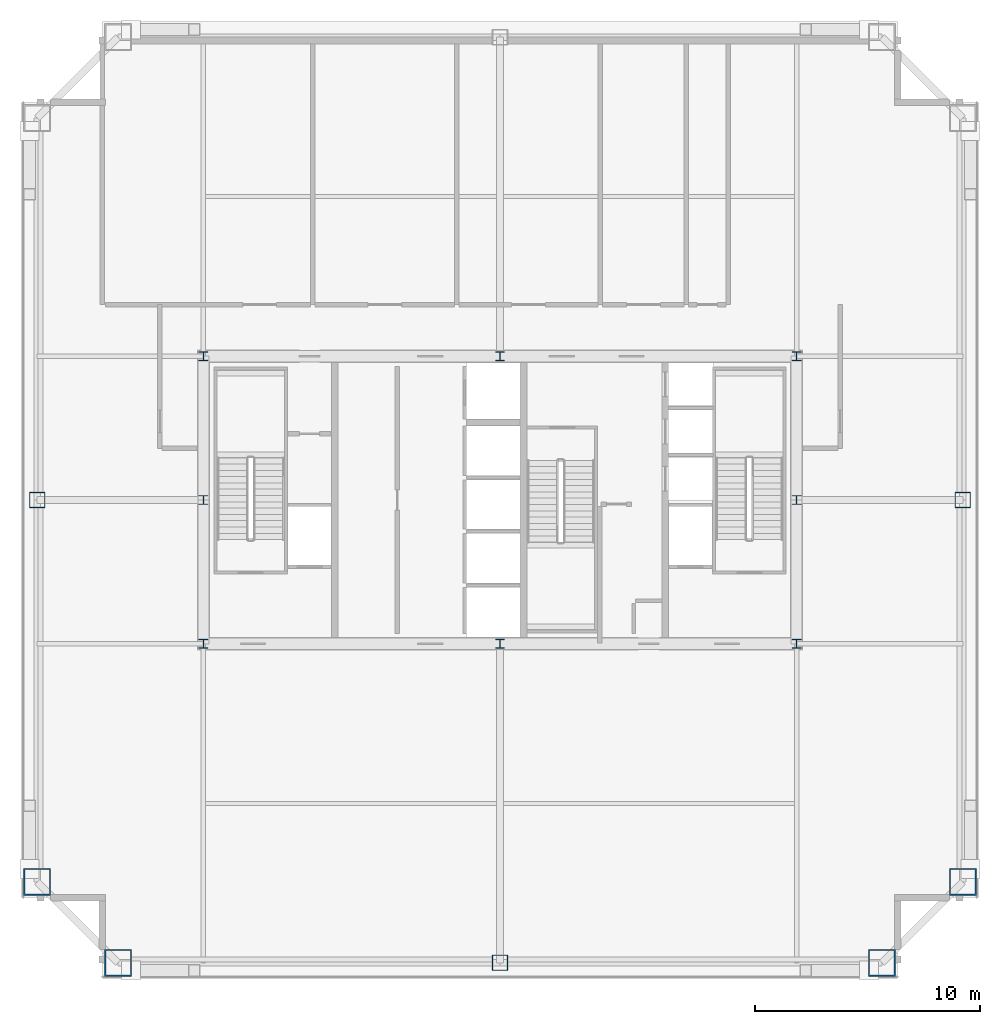
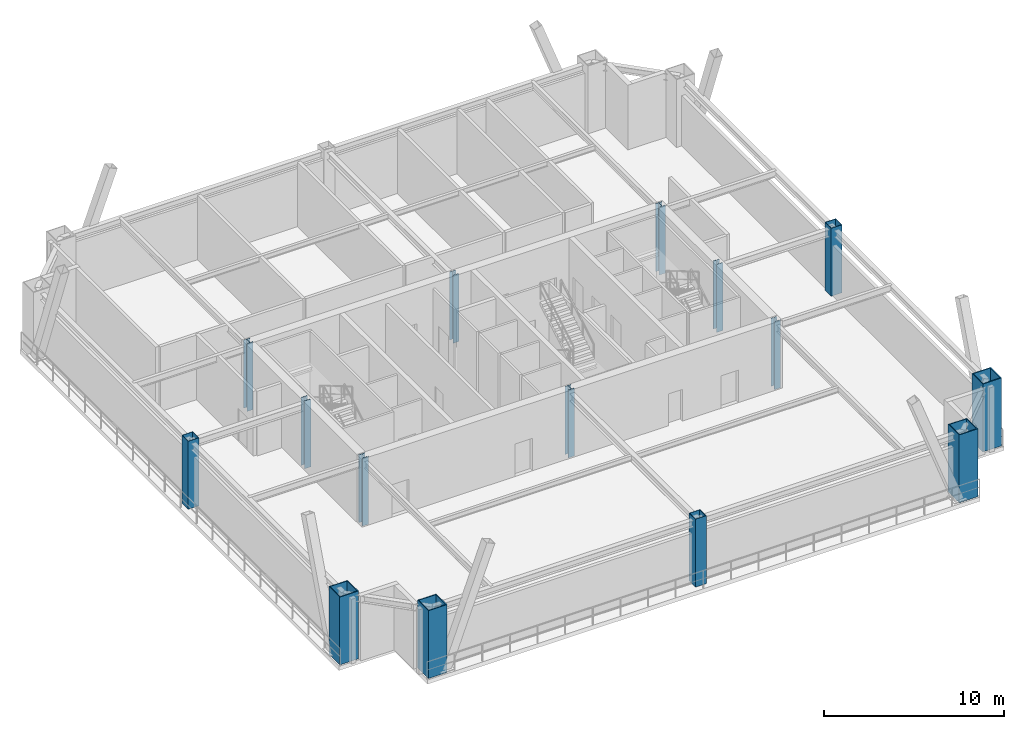
# One storey, part 1 of 8: 15 columns.
"""IFC4 building model written with IfcOpenShell, lengths in metres."""

from ifc_helpers import new_model, si_unit, direction, frame, origin, origin_2d, place, context, subcontext, project, spatial, hollow_rectangle, i_section, extrude, source, transform, mapped, material, material_profile, profile_set, type_object, element, save


model = new_model("IFC4")

# Units and contexts
model_context = context("Model", 3, precision=1e-05, world=origin(), true_north=direction((0.0, 1.0)))
body_context = subcontext(model_context, "Body", "Model", "MODEL_VIEW")
ifc_project = project(units=[si_unit("LENGTHUNIT", "METRE"), si_unit("AREAUNIT", "SQUARE_METRE"), si_unit("VOLUMEUNIT", "CUBIC_METRE"), si_unit("PLANEANGLEUNIT", "RADIAN"), si_unit("MASSUNIT", "GRAM", prefix="KILO"), si_unit("THERMODYNAMICTEMPERATUREUNIT", "KELVIN"), si_unit("POWERUNIT", "WATT")], contexts=[model_context])

# Site, building, storey
site_placement = place(None, origin())
site = spatial("IfcSite", under=ifc_project, at=site_placement, CompositionType="ELEMENT")
building_placement = place(site_placement, origin())
building = spatial("IfcBuilding", under=site, at=building_placement, Name="Yuzanri Waterfront Tower", CompositionType="ELEMENT")
storey_placement = place(building_placement, frame((0.0, 0.0, 263.5)))
storey = spatial("IfcBuildingStorey", under=building, at=storey_placement, Name="L70", CompositionType="ELEMENT", Elevation=263.5)

# Columns
ifc_material_1 = material(Name="Steel Q355B", Category="steel")
ifc_material_profile_1 = material_profile(ifc_material_1, i_section(OverallWidth=0.39990234375, OverallDepth=0.39990234375, WebThickness=0.012939453125, FlangeThickness=0.02099609375, at=origin_2d()), Name="HW 400x400x13x21")
ifc_profile_set_1 = profile_set([ifc_material_profile_1], Name="Steel Q355B")
column_type_1 = type_object("IfcColumnType", Name="Core Post Q355B HW 400x400x13x21", PredefinedType="COLUMN", material=ifc_profile_set_1)
shared_shape_1 = source(origin(), body_context, "Body", "SweptSolid", [
    extrude(i_section(OverallWidth=0.39990234375, OverallDepth=0.39990234375, WebThickness=0.012939453125, FlangeThickness=0.02099609375, at=origin_2d()), origin(), (0.0, 0.0, 1.0), 4.60009765625),
])
for number, where, z_axis, x_axis, name in (
    (1, (23.800048828125, 19.39990234375, 0.0), (0.0, 0.0, 1.0), (1.0, 0.0, 0.0), "L70 Core Boundary Column CP1"),
    (2, (37.0, 19.39990234375, 0.0), (0.0, 0.0, 1.0), (1.0, 0.0, 0.0), "L70 Core Boundary Column CP2"),
    (3, (50.199951171875, 19.39990234375, 0.0), (0.0, 0.0, 1.0), (1.0, 0.0, 0.0), "L70 Core Boundary Column CP3"),
    (4, (23.800048828125, 25.800048828125, 0.0), (0.0, 0.0, 1.0), (1.0, 0.0, 0.0), "L70 Core Boundary Column CP4"),
    (5, (50.199951171875, 25.800048828125, 0.0), (0.0, 0.0, 1.0), (1.0, 0.0, 0.0), "L70 Core Boundary Column CP5"),
    (6, (23.800048828125, 32.199951171875, 0.0), (0.0, 0.0, 1.0), (1.0, 0.0, 0.0), "L70 Core Boundary Column CP6"),
    (7, (37.0, 32.199951171875, 0.0), (0.0, 0.0, 1.0), (1.0, 0.0, 0.0), "L70 Core Boundary Column CP7"),
    (8, (50.199951171875, 32.199951171875, 0.0), (0.0, 0.0, 1.0), (1.0, 0.0, 0.0), "L70 Core Boundary Column CP8"),
):
    element("IfcColumn", number, at=place(storey_placement, frame(where, z_axis=z_axis, x_axis=x_axis)), inside=storey, type_object=column_type_1, Name=name, PredefinedType="COLUMN", context=body_context, shape_type="MappedRepresentation", body=[
        mapped(shared_shape_1, transform((0.0, 0.0, 0.0), scale=1.0)),
    ])
ifc_material_2 = material(Name="Steel Q390GJC", Category="steel")
ifc_material_profile_2 = material_profile(ifc_material_2, hollow_rectangle(XDim=1.199951171875, YDim=1.199951171875, WallThickness=0.054931640625, at=origin_2d()), Name="RHS 1200x1200x55")
ifc_profile_set_2 = profile_set([ifc_material_profile_2], Name="Steel Q390GJC")
column_type_2 = type_object("IfcColumnType", Name="Mega Column Q390GJC RHS 1200x1200x55", PredefinedType="COLUMN", material=ifc_profile_set_2)
shared_shape_2 = source(origin(), body_context, "Body", "SweptSolid", [
    extrude(hollow_rectangle(XDim=1.199951171875, YDim=1.199951171875, WallThickness=0.054931640625, at=origin_2d()), origin(), (0.0, 0.0, 1.0), 4.60009765625),
])
for number, where, z_axis, x_axis, name in (
    (9, (20.0, 5.199951171875, 0.0), (0.0, 0.0, 1.0), (1.0, 0.0, 0.0), "L70 Perimeter Mega Column S1"),
    (10, (54.0, 5.199951171875, 0.0), (0.0, 0.0, 1.0), (1.0, 0.0, 0.0), "L70 Perimeter Mega Column S3"),
    (11, (16.39990234375, 8.800048828125, 0.0), (0.0, 0.0, 1.0), (1.0, 0.0, 0.0), "L70 Perimeter Mega Column W1"),
    (12, (57.60009765625, 8.800048828125, 0.0), (0.0, 0.0, 1.0), (1.0, 0.0, 0.0), "L70 Perimeter Mega Column E1"),
):
    element("IfcColumn", number, at=place(storey_placement, frame(where, z_axis=z_axis, x_axis=x_axis)), inside=storey, type_object=column_type_2, Name=name, PredefinedType="COLUMN", context=body_context, shape_type="MappedRepresentation", body=[
        mapped(shared_shape_2, transform((0.0, 0.0, 0.0), scale=1.0)),
    ])
ifc_material_3 = material(Name="Steel Q355B", Category="steel")
ifc_material_profile_3 = material_profile(ifc_material_3, hollow_rectangle(XDim=0.699951171875, YDim=0.699951171875, WallThickness=0.031982421875, at=origin_2d()), Name="RHS 700x700x32")
ifc_profile_set_3 = profile_set([ifc_material_profile_3], Name="Steel Q355B")
column_type_3 = type_object("IfcColumnType", Name="Frame Column Q355B RHS 700x700x32", PredefinedType="COLUMN", material=ifc_profile_set_3)
shared_shape_3 = source(origin(), body_context, "Body", "SweptSolid", [
    extrude(hollow_rectangle(XDim=0.699951171875, YDim=0.699951171875, WallThickness=0.031982421875, at=origin_2d()), origin(), (0.0, 0.0, 1.0), 4.60009765625),
])
for number, where, z_axis, x_axis, name in (
    (13, (37.0, 5.199951171875, 0.0), (0.0, 0.0, 1.0), (1.0, 0.0, 0.0), "L70 Perimeter Frame Column S2"),
    (14, (16.39990234375, 25.800048828125, 0.0), (0.0, 0.0, 1.0), (1.0, 0.0, 0.0), "L70 Perimeter Frame Column W2"),
    (15, (57.60009765625, 25.800048828125, 0.0), (0.0, 0.0, 1.0), (1.0, 0.0, 0.0), "L70 Perimeter Frame Column E2"),
):
    element("IfcColumn", number, at=place(storey_placement, frame(where, z_axis=z_axis, x_axis=x_axis)), inside=storey, type_object=column_type_3, Name=name, PredefinedType="COLUMN", context=body_context, shape_type="MappedRepresentation", body=[
        mapped(shared_shape_3, transform((0.0, 0.0, 0.0), scale=1.0)),
    ])

save(model, "model.ifc")
